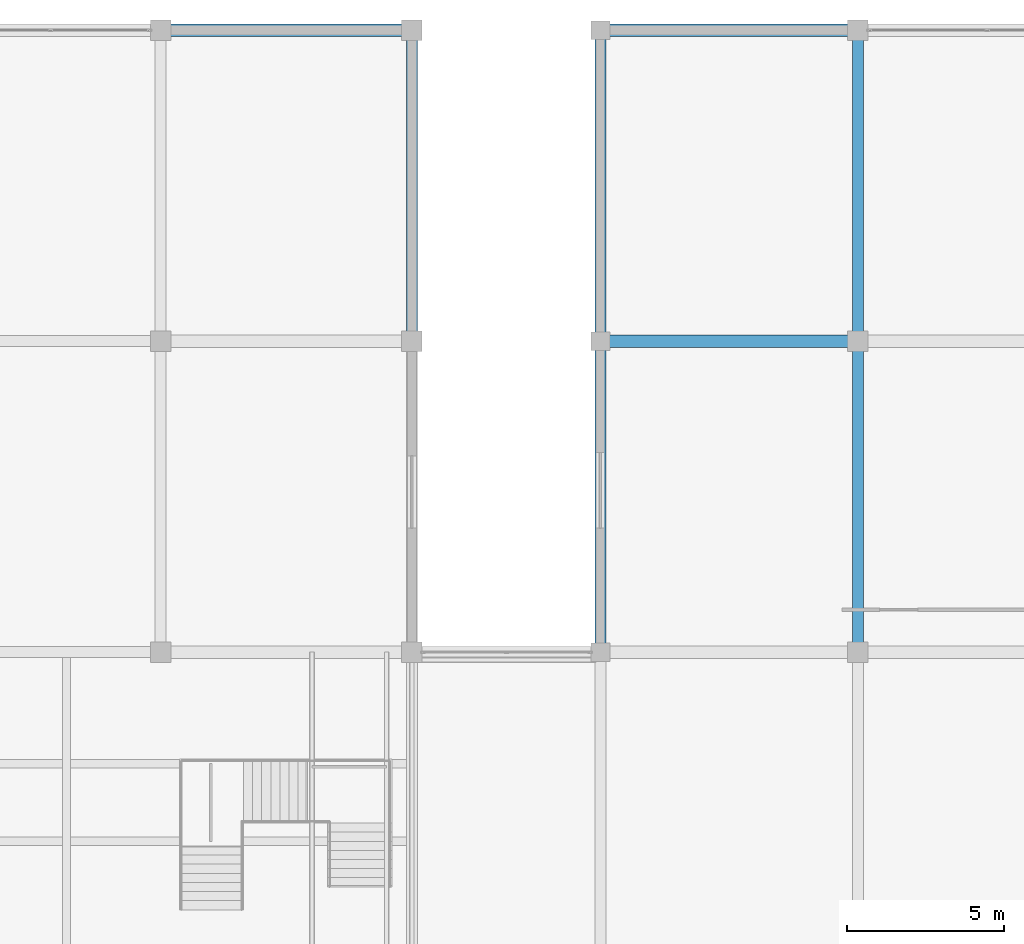
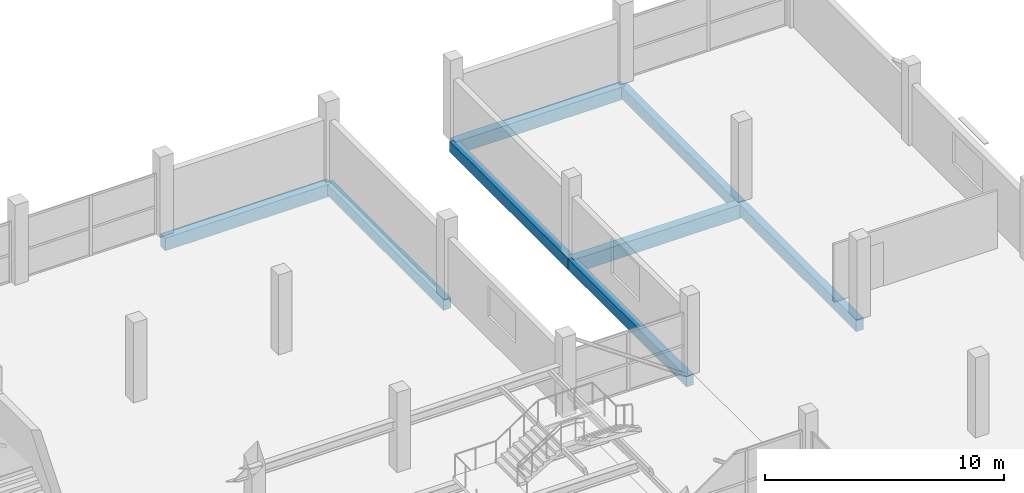
# One storey, part 48 of 70: 8 beams.
"""IFC4 building model written with IfcOpenShell, lengths in metres."""

from ifc_helpers import new_model, si_unit, direction, frame, origin, origin_2d, place, context, subcontext, project, spatial, rectangle, extrude, material, material_profile, profile_set, type_object, element, save


model = new_model("IFC4")

# Units and contexts
model_context = context("Model", 3, precision=1e-05, world=origin(), true_north=direction((0.0, 1.0)))
body_context = subcontext(model_context, "Body", "Model", "MODEL_VIEW")
ifc_project = project(units=[si_unit("LENGTHUNIT", "METRE"), si_unit("AREAUNIT", "SQUARE_METRE"), si_unit("VOLUMEUNIT", "CUBIC_METRE"), si_unit("PLANEANGLEUNIT", "RADIAN"), si_unit("MASSUNIT", "GRAM", prefix="KILO")], contexts=[model_context])

# Site, building, storey
site_placement = place(None, origin())
site = spatial("IfcSite", under=ifc_project, at=site_placement, CompositionType="ELEMENT")
building_placement = place(site_placement, origin())
building = spatial("IfcBuilding", under=site, at=building_placement, Name="Sillaruma Civic Art Gallery", CompositionType="ELEMENT")
storey_placement = place(building_placement, frame((0.0, 0.0, 66.300048828125)))
storey = spatial("IfcBuildingStorey", under=building, at=storey_placement, Name="L13", CompositionType="ELEMENT", Elevation=66.300048828125)

# Beams
ifc_material = material(Name="Concrete H35 (35 MPa)", Category="concrete")
ifc_material_profile_1 = material_profile(ifc_material, rectangle(XDim=0.35009765625, YDim=0.60009765625, at=origin_2d()), Name="RCB350x600")
ifc_profile_set_1 = profile_set([ifc_material_profile_1], Name="Concrete H35 (35 MPa)")
beam_type_1 = type_object("IfcBeamType", Name="BM-BEAM-RCB350x600", PredefinedType="BEAM", material=ifc_profile_set_1)
beam_1_placement = place(storey_placement, frame((106.199951171875, 79.199951171875, -0.530029296875), z_axis=(0.0, 1.0, 0.0), x_axis=(-1.0, 0.0, 0.0)))
element("IfcBeam", 1, at=beam_1_placement, inside=storey, type_object=beam_type_1, Name="Beam BM-06 (L12:M:9-10)", PredefinedType="BEAM", context=body_context, shape_type="SweptSolid", body=[
    extrude(rectangle(XDim=0.35009765625, YDim=0.60009765625, at=origin_2d()), origin(), (0.0, 0.0, 1.0), 9.900146484375),
])
beam_2_placement = place(storey_placement, frame((106.199951171875, 89.10009765625, -0.530029296875), z_axis=(0.0, 1.0, 0.0), x_axis=(-1.0, 0.0, 0.0)))
element("IfcBeam", 2, at=beam_2_placement, inside=storey, type_object=beam_type_1, Name="Beam BM-06 (L12:M:10-11)", PredefinedType="BEAM", context=body_context, shape_type="SweptSolid", body=[
    extrude(rectangle(XDim=0.35009765625, YDim=0.60009765625, at=origin_2d()), origin(), (0.0, 0.0, 1.0), 9.89990234375),
])
ifc_material_profile_2 = material_profile(ifc_material, rectangle(XDim=0.39990234375, YDim=0.699951171875, at=origin_2d()), Name="RCB400x700")
ifc_profile_set_2 = profile_set([ifc_material_profile_2], Name="Concrete H35 (35 MPa)")
beam_type_2 = type_object("IfcBeamType", Name="BM-BEAM-RCB400x700", PredefinedType="BEAM", material=ifc_profile_set_2)
beam_3_placement = place(storey_placement, frame((98.0, 89.10009765625, -0.580078125), z_axis=(1.0, 0.0, 0.0), x_axis=(0.0, 1.0, 0.0)))
element("IfcBeam", 3, at=beam_3_placement, inside=storey, type_object=beam_type_2, Name="Beam BM-04 (L12:10:L-M)", PredefinedType="BEAM", context=body_context, shape_type="SweptSolid", body=[
    extrude(rectangle(XDim=0.39990234375, YDim=0.699951171875, at=origin_2d()), origin(), (0.0, 0.0, 1.0), 8.199951171875),
])
ifc_material_profile_3 = material_profile(ifc_material, rectangle(XDim=0.35009765625, YDim=0.550048828125, at=origin_2d()), Name="RCB350x550")
ifc_profile_set_3 = profile_set([ifc_material_profile_3], Name="Concrete H35 (35 MPa)")
beam_type_3 = type_object("IfcBeamType", Name="BM-SPANDREL-RCB350x550", PredefinedType="SPANDREL", material=ifc_profile_set_3)
beam_4_placement = place(storey_placement, frame((92.0, 89.10009765625, -0.505126953125), z_axis=(0.0, 1.0, 0.0), x_axis=(-1.0, 0.0, 0.0)))
element("IfcBeam", 4, at=beam_4_placement, inside=storey, type_object=beam_type_3, Name="Beam BS-04 (L12:K:10-11)", PredefinedType="SPANDREL", context=body_context, shape_type="SweptSolid", body=[
    extrude(rectangle(XDim=0.35009765625, YDim=0.550048828125, at=origin_2d()), origin(), (0.0, 0.0, 1.0), 9.89990234375),
])
beam_5_placement = place(storey_placement, frame((98.0, 79.199951171875, -0.505126953125), z_axis=(0.0, 1.0, 0.0), x_axis=(-1.0, 0.0, 0.0)))
element("IfcBeam", 5, at=beam_5_placement, inside=storey, type_object=beam_type_3, Name="Beam BS-04 (L12:L:9-10)", PredefinedType="SPANDREL", context=body_context, shape_type="SweptSolid", body=[
    extrude(rectangle(XDim=0.35009765625, YDim=0.550048828125, at=origin_2d()), origin(), (0.0, 0.0, 1.0), 9.900146484375),
])
beam_6_placement = place(storey_placement, frame((98.0, 89.10009765625, -0.505126953125), z_axis=(0.0, 1.0, 0.0), x_axis=(-1.0, 0.0, 0.0)))
element("IfcBeam", 6, at=beam_6_placement, inside=storey, type_object=beam_type_3, Name="Beam BS-04 (L12:L:10-11)", PredefinedType="SPANDREL", context=body_context, shape_type="SweptSolid", body=[
    extrude(rectangle(XDim=0.35009765625, YDim=0.550048828125, at=origin_2d()), origin(), (0.0, 0.0, 1.0), 9.89990234375),
])
ifc_material_profile_4 = material_profile(ifc_material, rectangle(XDim=0.39990234375, YDim=0.64990234375, at=origin_2d()), Name="RCB400x650")
ifc_profile_set_4 = profile_set([ifc_material_profile_4], Name="Concrete H35 (35 MPa)")
beam_type_4 = type_object("IfcBeamType", Name="BM-SPANDREL-RCB400x650", PredefinedType="SPANDREL", material=ifc_profile_set_4)
beam_7_placement = place(storey_placement, frame((84.0, 99.0, -0.554931640625), z_axis=(1.0, 0.0, 0.0), x_axis=(0.0, 1.0, 0.0)))
element("IfcBeam", 7, at=beam_7_placement, inside=storey, type_object=beam_type_4, Name="Beam BS-02 (L12:11:J-K)", PredefinedType="SPANDREL", context=body_context, shape_type="SweptSolid", body=[
    extrude(rectangle(XDim=0.39990234375, YDim=0.64990234375, at=origin_2d()), origin(), (0.0, 0.0, 1.0), 8.0),
])
beam_8_placement = place(storey_placement, frame((98.0, 99.0, -0.554931640625), z_axis=(1.0, 0.0, 0.0), x_axis=(0.0, 1.0, 0.0)))
element("IfcBeam", 8, at=beam_8_placement, inside=storey, type_object=beam_type_4, Name="Beam BS-02 (L12:11:L-M)", PredefinedType="SPANDREL", context=body_context, shape_type="SweptSolid", body=[
    extrude(rectangle(XDim=0.39990234375, YDim=0.64990234375, at=origin_2d()), origin(), (0.0, 0.0, 1.0), 8.199951171875),
])

save(model, "model.ifc")
